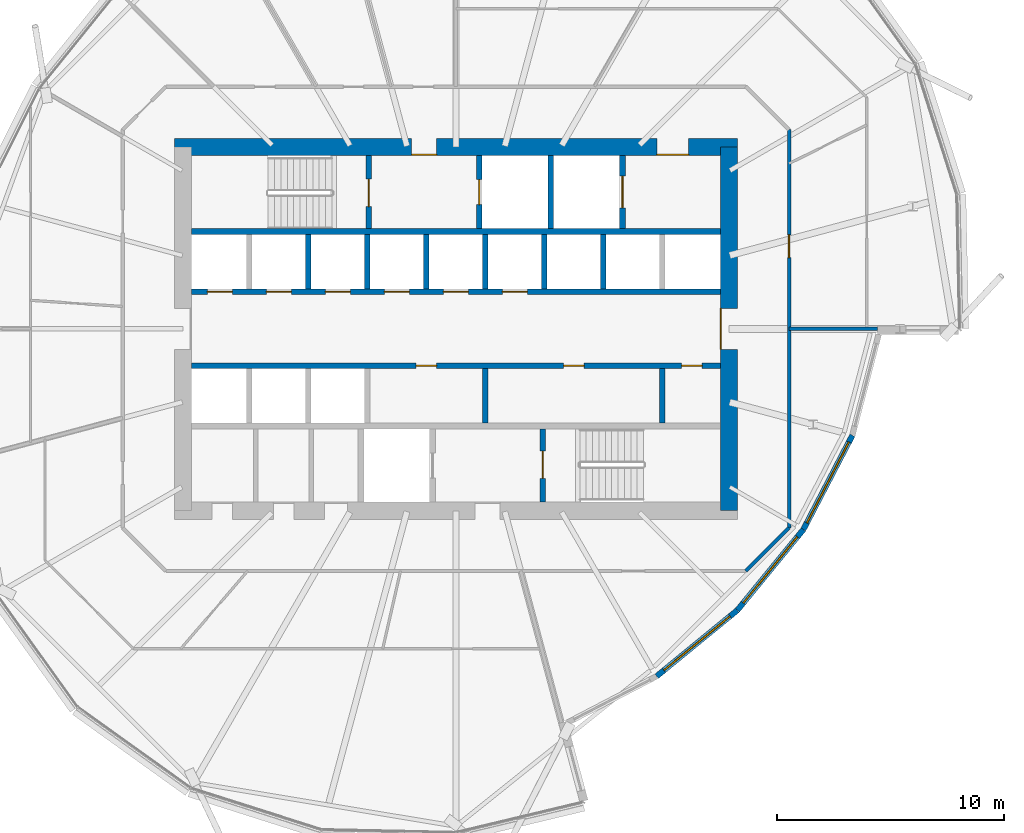
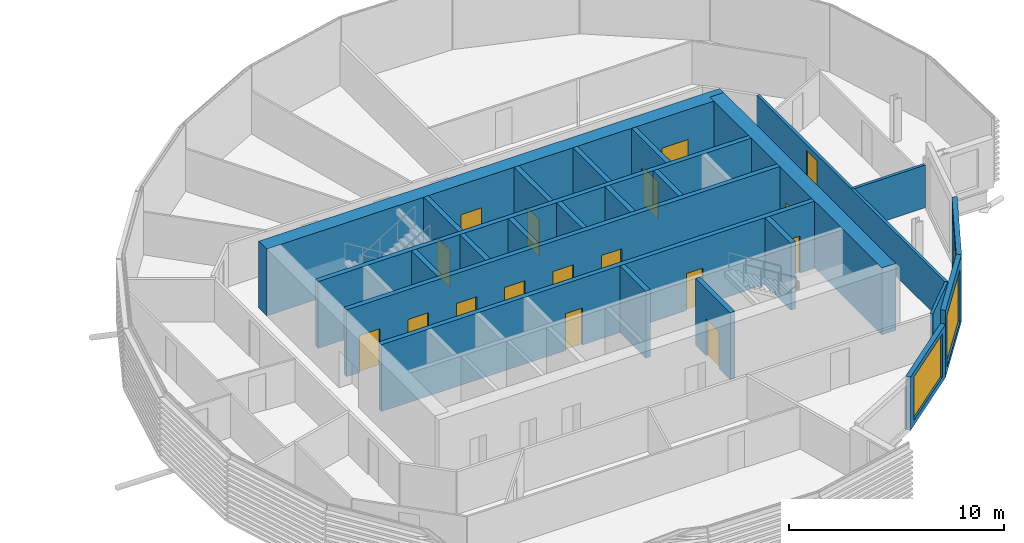
# One storey, part 24 of 39: 24 walls, 17 doors, 3 windows, 20 openings.
"""IFC4 building model written with IfcOpenShell, lengths in metres."""

from ifc_helpers import new_model, si_unit, direction, frame, frame_2d, origin, place, context, subcontext, project, spatial, rectangle, extrude, material, layer, layer_set, type_object, element, fill, save


model = new_model("IFC4")

# Units and contexts
model_context = context("Model", 3, precision=1e-05, world=origin(), true_north=direction((0.0, 1.0)))
body_context = subcontext(model_context, "Body", "Model", "MODEL_VIEW")
ifc_project = project(units=[si_unit("LENGTHUNIT", "METRE"), si_unit("AREAUNIT", "SQUARE_METRE"), si_unit("VOLUMEUNIT", "CUBIC_METRE"), si_unit("PLANEANGLEUNIT", "RADIAN"), si_unit("MASSUNIT", "GRAM", prefix="KILO")], contexts=[model_context])

# Site, building, storey
site_placement = place(None, origin())
site = spatial("IfcSite", under=ifc_project, at=site_placement, CompositionType="ELEMENT")
building_placement = place(site_placement, origin())
building = spatial("IfcBuilding", under=site, at=building_placement, Name="Rimbun Link Towers", CompositionType="ELEMENT")
storey_placement = place(building_placement, frame((0.0, 0.0, 100.60009765625)))
storey = spatial("IfcBuildingStorey", under=building, at=storey_placement, Name="L24", CompositionType="ELEMENT", Elevation=100.60009765625)

# Wall, opening, window
ifc_material_1 = material(Name="Dark enamelled glass spandrel on insulated aluminium backpan", Category="aluminium")
ifc_layer_1 = layer(ifc_material_1, 0.25)
ifc_layer_set_1 = layer_set([ifc_layer_1], Name="CS dark enamelled spandrel wall 250")
wall_type_1 = type_object("IfcWallType", Name="CS dark enamelled spandrel wall 250", PredefinedType="STANDARD", material=ifc_layer_set_1)
wall_1_placement = place(storey_placement, frame((44.126220703125, -12.376220703125, 0.0), z_axis=(0.0, 0.0, 1.0), x_axis=(-0.773897956984, -0.633310312703, 0.0)))
wall_1 = element("IfcWall", 1, at=wall_1_placement, inside=storey, type_object=wall_type_1, Name="Crease spandrel wall", PredefinedType="STANDARD", context=body_context, shape_type="SweptSolid", body=[
    extrude(rectangle(XDim=4.582763671875, YDim=0.25, at=frame_2d((2.29150390625, 0.0))), origin(), (0.0, 0.0, 1.0), 3.02734375),
])
opening_1_placement = place(wall_1_placement, frame((0.416259765625, 0.0, 0.300048828125)))
opening_1 = element("IfcOpeningElement", 2, at=opening_1_placement, cuts=wall_1, Name="Opening WR38H245", PredefinedType="OPENING", context=body_context, shape_type="SweptSolid", body=[
    extrude(rectangle(XDim=3.75, YDim=2.449951171875, at=frame_2d((1.875, 1.22509765625))), frame((0.0, 0.135009765625, 0.0), z_axis=(0.0, -1.0, 0.0), x_axis=(1.0, 0.0, 0.0)), (0.0, 0.0, 1.0), 0.27001953125),
])
ifc_material_2 = material(Name="Aluminium framed fixed window, dark tinted low-e glass", Category="aluminium")
window_type_1 = type_object("IfcWindowType", Name="WR ribbon window 3750X2450", PartitioningType="SINGLE_PANEL", PredefinedType="WINDOW", material=ifc_material_2)
window_1_placement = place(opening_1_placement, origin())
window_1 = element("IfcWindow", 3, at=window_1_placement, inside=storey, type_object=window_type_1, Name="Crease ribbon window", OverallHeight=2.449951171875, OverallWidth=3.75, PartitioningType="SINGLE_PANEL", PredefinedType="WINDOW", context=body_context, shape_type="SweptSolid", body=[
    extrude(rectangle(XDim=3.75, YDim=2.449951171875, at=frame_2d((1.875, 1.22509765625))), frame((0.0, 0.030029296875, 0.0), z_axis=(0.0, -1.0, 0.0), x_axis=(1.0, 0.0, 0.0)), (0.0, 0.0, 1.0), 0.06005859375),
])
fill(opening_1, window_1)

wall_2_placement = place(storey_placement, frame((47.028564453125, -8.82958984375, 0.0), z_axis=(0.0, 0.0, 1.0), x_axis=(-0.633310312703, -0.773897956984, 0.0)))
wall_2 = element("IfcWall", 4, at=wall_2_placement, inside=storey, type_object=wall_type_1, Name="Crease spandrel wall", PredefinedType="STANDARD", context=body_context, shape_type="SweptSolid", body=[
    extrude(rectangle(XDim=4.582763671875, YDim=0.25, at=frame_2d((2.29150390625, 0.0))), origin(), (0.0, 0.0, 1.0), 3.7998046875),
])
opening_2_placement = place(wall_2_placement, frame((0.416259765625, 0.0, 0.300048828125)))
opening_2 = element("IfcOpeningElement", 5, at=opening_2_placement, cuts=wall_2, Name="Opening WR38H295", PredefinedType="OPENING", context=body_context, shape_type="SweptSolid", body=[
    extrude(rectangle(XDim=3.75, YDim=2.949951171875, at=frame_2d((1.875, 1.47509765625))), frame((0.0, 0.135009765625, 0.0), z_axis=(0.0, -1.0, 0.0), x_axis=(1.0, 0.0, 0.0)), (0.0, 0.0, 1.0), 0.27001953125),
])
ifc_material_3 = material(Name="Aluminium framed fixed window, dark tinted low-e glass", Category="aluminium")
window_type_2 = type_object("IfcWindowType", Name="WR ribbon window 3750X2950", PartitioningType="SINGLE_PANEL", PredefinedType="WINDOW", material=ifc_material_3)
window_2_placement = place(opening_2_placement, origin())
window_2 = element("IfcWindow", 6, at=window_2_placement, inside=storey, type_object=window_type_2, Name="Crease ribbon window", OverallHeight=2.949951171875, OverallWidth=3.75, PartitioningType="SINGLE_PANEL", PredefinedType="WINDOW", context=body_context, shape_type="SweptSolid", body=[
    extrude(rectangle(XDim=3.75, YDim=2.949951171875, at=frame_2d((1.875, 1.47509765625))), frame((0.0, 0.030029296875, 0.0), z_axis=(0.0, -1.0, 0.0), x_axis=(1.0, 0.0, 0.0)), (0.0, 0.0, 1.0), 0.06005859375),
])
fill(opening_2, window_2)

wall_3_placement = place(storey_placement, frame((49.186279296875, -4.685791015625, 0.0), z_axis=(0.0, 0.0, 1.0), x_axis=(-0.461847922191, -0.886959129142, 0.0)))
wall_3 = element("IfcWall", 7, at=wall_3_placement, inside=storey, type_object=wall_type_1, Name="Crease spandrel wall", PredefinedType="STANDARD", context=body_context, shape_type="SweptSolid", body=[
    extrude(rectangle(XDim=4.671875, YDim=0.25, at=frame_2d((2.3359375, 0.0))), origin(), (0.0, 0.0, 1.0), 3.7998046875),
])
opening_3_placement = place(wall_3_placement, frame((0.3359375, 0.0, 0.300048828125)))
opening_3 = element("IfcOpeningElement", 8, at=opening_3_placement, cuts=wall_3, Name="Opening WR40H295", PredefinedType="OPENING", context=body_context, shape_type="SweptSolid", body=[
    extrude(rectangle(XDim=4.0, YDim=2.949951171875, at=frame_2d((2.0, 1.47509765625))), frame((0.0, 0.135009765625, 0.0), z_axis=(0.0, -1.0, 0.0), x_axis=(1.0, 0.0, 0.0)), (0.0, 0.0, 1.0), 0.27001953125),
])
ifc_material_4 = material(Name="Aluminium framed fixed window, dark tinted low-e glass", Category="aluminium")
window_type_3 = type_object("IfcWindowType", Name="WR ribbon window 4000X2950", PartitioningType="SINGLE_PANEL", PredefinedType="WINDOW", material=ifc_material_4)
window_3_placement = place(opening_3_placement, origin())
window_3 = element("IfcWindow", 9, at=window_3_placement, inside=storey, type_object=window_type_3, Name="Crease ribbon window", OverallHeight=2.949951171875, OverallWidth=4.0, PartitioningType="SINGLE_PANEL", PredefinedType="WINDOW", context=body_context, shape_type="SweptSolid", body=[
    extrude(rectangle(XDim=4.0, YDim=2.949951171875, at=frame_2d((2.0, 1.47509765625))), frame((0.0, 0.030029296875, 0.0), z_axis=(0.0, -1.0, 0.0), x_axis=(1.0, 0.0, 0.0)), (0.0, 0.0, 1.0), 0.06005859375),
])
fill(opening_3, window_3)

# Wall, openings, doors
ifc_material_5 = material(Name="Concrete C60/75", Category="concrete")
ifc_layer_2 = layer(ifc_material_5, 0.75)
ifc_layer_set_2 = layer_set([ifc_layer_2], Name="Core shear wall 750")
wall_type_2 = type_object("IfcWallType", Name="Core shear wall 750", PredefinedType="SHEAR", material=ifc_layer_set_2)
wall_4_placement = place(storey_placement, frame((19.375, 8.0, 0.0), z_axis=(0.0, 0.0, 1.0), x_axis=(1.0, 0.0, 0.0)))
wall_4 = element("IfcWall", 10, at=wall_4_placement, inside=storey, type_object=wall_type_2, Name="L24 T2 core wall N", PredefinedType="SHEAR", context=body_context, shape_type="SweptSolid", body=[
    extrude(rectangle(XDim=24.75, YDim=0.75, at=frame_2d((12.375, 0.0))), origin(), (0.0, 0.0, 1.0), 3.7998046875),
])
opening_4_placement = place(wall_4_placement, frame((10.425048828125, 0.0, 0.0)))
opening_4 = element("IfcOpeningElement", 11, at=opening_4_placement, cuts=wall_4, Name="Opening C2DCF01N", PredefinedType="OPENING", context=body_context, shape_type="SweptSolid", body=[
    extrude(rectangle(XDim=1.10009765625, YDim=2.10009765625, at=frame_2d((0.550048828125, 1.050048828125))), frame((0.0, 0.385009765625, 0.0), z_axis=(0.0, -1.0, 0.0), x_axis=(1.0, 0.0, 0.0)), (0.0, 0.0, 1.0), 0.77001953125),
])
opening_5_placement = place(wall_4_placement, frame((21.21240234375, 0.0, 0.0)))
opening_5 = element("IfcOpeningElement", 12, at=opening_5_placement, cuts=wall_4, Name="Opening C2DSL02N", PredefinedType="OPENING", context=body_context, shape_type="SweptSolid", body=[
    extrude(rectangle(XDim=1.39990234375, YDim=2.10009765625, at=frame_2d((0.699951171875, 1.050048828125))), frame((0.0, 0.385009765625, 0.0), z_axis=(0.0, -1.0, 0.0), x_axis=(1.0, 0.0, 0.0)), (0.0, 0.0, 1.0), 0.77001953125),
])
ifc_material_6 = material(Name="Steel fire door set", Category="steel")
door_type_1 = type_object("IfcDoorType", Name="Core fire door single", OperationType="SINGLE_SWING_LEFT", PredefinedType="DOOR", material=ifc_material_6)
door_1_placement = place(opening_4_placement, origin())
door_1 = element("IfcDoor", 13, at=door_1_placement, inside=storey, type_object=door_type_1, Name="L24 T2 firefighting lobby n door", OperationType="SINGLE_SWING_LEFT", OverallHeight=2.10009765625, OverallWidth=1.10009765625, PredefinedType="DOOR", context=body_context, shape_type="SweptSolid", body=[
    extrude(rectangle(XDim=1.10009765625, YDim=2.10009765625, at=frame_2d((0.550048828125, 1.050048828125))), frame((0.0, -0.3251953125, 0.0), z_axis=(0.0, -1.0, 0.0), x_axis=(1.0, 0.0, 0.0)), (0.0, 0.0, 1.0), 0.050048828125),
])
fill(opening_4, door_1)
ifc_material_7 = material(Name="Steel fire door set", Category="steel")
door_type_2 = type_object("IfcDoorType", Name="Service lobby door double", OperationType="DOUBLE_DOOR_SINGLE_SWING", PredefinedType="DOOR", material=ifc_material_7)
door_2_placement = place(opening_5_placement, origin())
door_2 = element("IfcDoor", 14, at=door_2_placement, inside=storey, type_object=door_type_2, Name="L24 T2 service lobby door", OperationType="DOUBLE_DOOR_SINGLE_SWING", OverallHeight=2.10009765625, OverallWidth=1.39990234375, PredefinedType="DOOR", context=body_context, shape_type="SweptSolid", body=[
    extrude(rectangle(XDim=1.39990234375, YDim=2.10009765625, at=frame_2d((0.699951171875, 1.050048828125))), frame((0.0, -0.3251953125, 0.0), z_axis=(0.0, -1.0, 0.0), x_axis=(1.0, 0.0, 0.0)), (0.0, 0.0, 1.0), 0.050048828125),
])
fill(opening_5, door_2)

# Wall, opening, door
wall_5_placement = place(storey_placement, frame((43.75, -8.0, 0.0), z_axis=(0.0, 0.0, 1.0), x_axis=(0.0, 1.0, 0.0)))
wall_5 = element("IfcWall", 15, at=wall_5_placement, inside=storey, type_object=wall_type_2, Name="L24 T2 core wall E", PredefinedType="SHEAR", context=body_context, shape_type="SweptSolid", body=[
    extrude(rectangle(XDim=16.0, YDim=0.75, at=frame_2d((8.0, 0.0))), origin(), (0.0, 0.0, 1.0), 3.7998046875),
])
opening_6_placement = place(wall_5_placement, frame((7.10009765625, 0.0, 0.0)))
opening_6 = element("IfcOpeningElement", 16, at=opening_6_placement, cuts=wall_5, Name="Opening C2DCL01E", PredefinedType="OPENING", context=body_context, shape_type="SweptSolid", body=[
    extrude(rectangle(XDim=1.800048828125, YDim=2.10009765625, at=frame_2d((0.89990234375, 1.050048828125))), frame((0.0, 0.385009765625, 0.0), z_axis=(0.0, -1.0, 0.0), x_axis=(1.0, 0.0, 0.0)), (0.0, 0.0, 1.0), 0.77001953125),
])
ifc_material_8 = material(Name="Steel fire door set", Category="steel")
door_type_3 = type_object("IfcDoorType", Name="Core lobby door double", OperationType="DOUBLE_DOOR_SINGLE_SWING", PredefinedType="DOOR", material=ifc_material_8)
door_3_placement = place(opening_6_placement, origin())
door_3 = element("IfcDoor", 17, at=door_3_placement, inside=storey, type_object=door_type_3, Name="L24 T2 lift lobby door", OperationType="DOUBLE_DOOR_SINGLE_SWING", OverallHeight=2.10009765625, OverallWidth=1.800048828125, PredefinedType="DOOR", context=body_context, shape_type="SweptSolid", body=[
    extrude(rectangle(XDim=1.800048828125, YDim=2.10009765625, at=frame_2d((0.89990234375, 1.050048828125))), frame((0.0, 0.375, 0.0), z_axis=(0.0, -1.0, 0.0), x_axis=(1.0, 0.0, 0.0)), (0.0, 0.0, 1.0), 0.050048828125),
])
fill(opening_6, door_3)

ifc_material_9 = material(Name="Plasterboard on steel stud, mineral wool", Category="steel")
ifc_layer_3 = layer(ifc_material_9, 0.14990234375)
ifc_layer_set_3 = layer_set([ifc_layer_3], Name="Corridor wall EI 30 150 mm")
wall_type_3 = type_object("IfcWallType", Name="Corridor wall EI 30 150 mm", PredefinedType="PARTITIONING", material=ifc_layer_set_3)
wall_6_placement = place(storey_placement, frame((46.39990234375, 8.751708984375, 0.0), z_axis=(0.0, 0.0, 1.0), x_axis=(0.0, -1.0, 0.0)))
wall_6 = element("IfcWall", 18, at=wall_6_placement, inside=storey, type_object=wall_type_3, Name="Corridor wall EI 30 150 mm", PredefinedType="PARTITIONING", context=body_context, shape_type="SweptSolid", body=[
    extrude(rectangle(XDim=17.50341796875, YDim=0.14990234375, at=frame_2d((8.751708984375, 0.0))), origin(), (0.0, 0.0, 1.0), 2.419921875),
])
opening_7_placement = place(wall_6_placement, frame((4.619140625, 0.0, 0.0)))
opening_7 = element("IfcOpeningElement", 19, at=opening_7_placement, cuts=wall_6, Name="Opening D01", PredefinedType="OPENING", context=body_context, shape_type="SweptSolid", body=[
    extrude(rectangle(XDim=1.0, YDim=2.10009765625, at=frame_2d((0.5, 1.050048828125))), frame((0.0, 0.0849609375, 0.0), z_axis=(0.0, -1.0, 0.0), x_axis=(1.0, 0.0, 0.0)), (0.0, 0.0, 1.0), 0.169921875),
])
ifc_material_10 = material(Name="Fire-resisting timber door leaf", Category="wood")
door_type_4 = type_object("IfcDoorType", Name="Fire door FD30S 1000", OperationType="NOTDEFINED", PredefinedType="DOOR", material=ifc_material_10)
door_4_placement = place(opening_7_placement, origin())
door_4 = element("IfcDoor", 20, at=door_4_placement, inside=storey, type_object=door_type_4, Name="Fire door FD30S 1000 to Reception", OperationType="SINGLE_SWING_LEFT", OverallHeight=2.10009765625, OverallWidth=1.0, PredefinedType="DOOR", context=body_context, shape_type="SweptSolid", body=[
    extrude(rectangle(XDim=1.0, YDim=2.10009765625, at=frame_2d((0.5, 1.050048828125))), frame((0.0, 0.02490234375, 0.0), z_axis=(0.0, -1.0, 0.0), x_axis=(1.0, 0.0, 0.0)), (0.0, 0.0, 1.0), 0.050048828125),
])
fill(opening_7, door_4)

# Walls
wall_7_placement = place(storey_placement, frame((44.501708984375, -10.64990234375, 0.0), z_axis=(0.0, 0.0, 1.0), x_axis=(0.707106781187, 0.707106781187, 0.0)))
element("IfcWall", 21, at=wall_7_placement, inside=storey, type_object=wall_type_3, Name="Corridor wall EI 30 150 mm", PredefinedType="PARTITIONING", context=body_context, shape_type="SweptSolid", body=[
    extrude(rectangle(XDim=2.6845703125, YDim=0.14990234375, at=frame_2d((1.34228515625, 0.0))), origin(), (0.0, 0.0, 1.0), 2.419921875),
])
ifc_material_11 = material(Name="Concrete C60/75", Category="concrete")
ifc_layer_4 = layer(ifc_material_11, 0.25)
ifc_layer_set_4 = layer_set([ifc_layer_4], Name="Shaft wall 250")
wall_type_4 = type_object("IfcWallType", Name="Shaft wall 250", PredefinedType="SHEAR", material=ifc_layer_set_4)
wall_8_placement = place(storey_placement, frame((20.125, 4.27490234375, 0.0), z_axis=(0.0, 0.0, 1.0), x_axis=(1.0, 0.0, 0.0)))
element("IfcWall", 22, at=wall_8_placement, inside=storey, type_object=wall_type_4, Name="L24 T2 core wall BN", PredefinedType="SHEAR", context=body_context, shape_type="SweptSolid", body=[
    extrude(rectangle(XDim=23.25, YDim=0.25, at=frame_2d((11.625, 0.0))), origin(), (0.0, 0.0, 1.0), 3.7998046875),
])

# Wall, openings, doors
wall_9_placement = place(storey_placement, frame((20.125, 1.625, 0.0), z_axis=(0.0, 0.0, 1.0), x_axis=(1.0, 0.0, 0.0)))
wall_9 = element("IfcWall", 23, at=wall_9_placement, inside=storey, type_object=wall_type_4, Name="L24 T2 core wall FN", PredefinedType="SHEAR", context=body_context, shape_type="SweptSolid", body=[
    extrude(rectangle(XDim=23.25, YDim=0.25, at=frame_2d((11.625, 0.0))), origin(), (0.0, 0.0, 1.0), 3.7998046875),
])
opening_8_placement = place(wall_9_placement, frame((0.697265625, 0.0, 0.0)))
opening_8 = element("IfcOpeningElement", 24, at=opening_8_placement, cuts=wall_9, Name="Opening LD-T2-LR1", PredefinedType="OPENING", context=body_context, shape_type="SweptSolid", body=[
    extrude(rectangle(XDim=1.10009765625, YDim=2.10009765625, at=frame_2d((0.550048828125, 1.050048828125))), frame((0.0, 0.135009765625, 0.0), z_axis=(0.0, -1.0, 0.0), x_axis=(1.0, 0.0, 0.0)), (0.0, 0.0, 1.0), 0.27001953125),
])
opening_9_placement = place(wall_9_placement, frame((3.291748046875, 0.0, 0.0)))
opening_9 = element("IfcOpeningElement", 25, at=opening_9_placement, cuts=wall_9, Name="Opening LD-T2-LR2", PredefinedType="OPENING", context=body_context, shape_type="SweptSolid", body=[
    extrude(rectangle(XDim=1.10009765625, YDim=2.10009765625, at=frame_2d((0.550048828125, 1.050048828125))), frame((0.0, 0.135009765625, 0.0), z_axis=(0.0, -1.0, 0.0), x_axis=(1.0, 0.0, 0.0)), (0.0, 0.0, 1.0), 0.27001953125),
])
opening_10_placement = place(wall_9_placement, frame((5.885986328125, 0.0, 0.0)))
opening_10 = element("IfcOpeningElement", 26, at=opening_10_placement, cuts=wall_9, Name="Opening LD-T2-LR3", PredefinedType="OPENING", context=body_context, shape_type="SweptSolid", body=[
    extrude(rectangle(XDim=1.10009765625, YDim=2.10009765625, at=frame_2d((0.550048828125, 1.050048828125))), frame((0.0, 0.135009765625, 0.0), z_axis=(0.0, -1.0, 0.0), x_axis=(1.0, 0.0, 0.0)), (0.0, 0.0, 1.0), 0.27001953125),
])
opening_11_placement = place(wall_9_placement, frame((8.480712890625, 0.0, 0.0)))
opening_11 = element("IfcOpeningElement", 27, at=opening_11_placement, cuts=wall_9, Name="Opening LD-T2-LR4", PredefinedType="OPENING", context=body_context, shape_type="SweptSolid", body=[
    extrude(rectangle(XDim=1.10009765625, YDim=2.10009765625, at=frame_2d((0.550048828125, 1.050048828125))), frame((0.0, 0.135009765625, 0.0), z_axis=(0.0, -1.0, 0.0), x_axis=(1.0, 0.0, 0.0)), (0.0, 0.0, 1.0), 0.27001953125),
])
opening_12_placement = place(wall_9_placement, frame((11.074951171875, 0.0, 0.0)))
opening_12 = element("IfcOpeningElement", 28, at=opening_12_placement, cuts=wall_9, Name="Opening LD-T2-LR5", PredefinedType="OPENING", context=body_context, shape_type="SweptSolid", body=[
    extrude(rectangle(XDim=1.10009765625, YDim=2.10009765625, at=frame_2d((0.550048828125, 1.050048828125))), frame((0.0, 0.135009765625, 0.0), z_axis=(0.0, -1.0, 0.0), x_axis=(1.0, 0.0, 0.0)), (0.0, 0.0, 1.0), 0.27001953125),
])
opening_13_placement = place(wall_9_placement, frame((13.66943359375, 0.0, 0.0)))
opening_13 = element("IfcOpeningElement", 29, at=opening_13_placement, cuts=wall_9, Name="Opening LD-T2-LR6", PredefinedType="OPENING", context=body_context, shape_type="SweptSolid", body=[
    extrude(rectangle(XDim=1.10009765625, YDim=2.10009765625, at=frame_2d((0.550048828125, 1.050048828125))), frame((0.0, 0.135009765625, 0.0), z_axis=(0.0, -1.0, 0.0), x_axis=(1.0, 0.0, 0.0)), (0.0, 0.0, 1.0), 0.27001953125),
])
ifc_material_12 = material(Name="Stainless steel grade 316", Category="steel")
door_type_5 = type_object("IfcDoorType", Name="Lift landing door", OperationType="DOUBLE_DOOR_SLIDING", PredefinedType="DOOR", material=ifc_material_12)
door_5_placement = place(opening_8_placement, origin())
door_5 = element("IfcDoor", 30, at=door_5_placement, inside=storey, type_object=door_type_5, Name="L24 T2 lift LR1 landing door", OperationType="DOUBLE_DOOR_SLIDING", OverallHeight=2.10009765625, OverallWidth=1.10009765625, PredefinedType="DOOR", context=body_context, shape_type="SweptSolid", body=[
    extrude(rectangle(XDim=1.10009765625, YDim=2.10009765625, at=frame_2d((0.550048828125, 1.050048828125))), frame((0.0, 0.02490234375, 0.0), z_axis=(0.0, -1.0, 0.0), x_axis=(1.0, 0.0, 0.0)), (0.0, 0.0, 1.0), 0.050048828125),
])
fill(opening_8, door_5)
door_6_placement = place(opening_9_placement, origin())
door_6 = element("IfcDoor", 31, at=door_6_placement, inside=storey, type_object=door_type_5, Name="L24 T2 lift LR2 landing door", OperationType="DOUBLE_DOOR_SLIDING", OverallHeight=2.10009765625, OverallWidth=1.10009765625, PredefinedType="DOOR", context=body_context, shape_type="SweptSolid", body=[
    extrude(rectangle(XDim=1.10009765625, YDim=2.10009765625, at=frame_2d((0.550048828125, 1.050048828125))), frame((0.0, 0.02490234375, 0.0), z_axis=(0.0, -1.0, 0.0), x_axis=(1.0, 0.0, 0.0)), (0.0, 0.0, 1.0), 0.050048828125),
])
fill(opening_9, door_6)
door_7_placement = place(opening_10_placement, origin())
door_7 = element("IfcDoor", 32, at=door_7_placement, inside=storey, type_object=door_type_5, Name="L24 T2 lift LR3 landing door", OperationType="DOUBLE_DOOR_SLIDING", OverallHeight=2.10009765625, OverallWidth=1.10009765625, PredefinedType="DOOR", context=body_context, shape_type="SweptSolid", body=[
    extrude(rectangle(XDim=1.10009765625, YDim=2.10009765625, at=frame_2d((0.550048828125, 1.050048828125))), frame((0.0, 0.02490234375, 0.0), z_axis=(0.0, -1.0, 0.0), x_axis=(1.0, 0.0, 0.0)), (0.0, 0.0, 1.0), 0.050048828125),
])
fill(opening_10, door_7)
door_8_placement = place(opening_11_placement, origin())
door_8 = element("IfcDoor", 33, at=door_8_placement, inside=storey, type_object=door_type_5, Name="L24 T2 lift LR4 landing door", OperationType="DOUBLE_DOOR_SLIDING", OverallHeight=2.10009765625, OverallWidth=1.10009765625, PredefinedType="DOOR", context=body_context, shape_type="SweptSolid", body=[
    extrude(rectangle(XDim=1.10009765625, YDim=2.10009765625, at=frame_2d((0.550048828125, 1.050048828125))), frame((0.0, 0.02490234375, 0.0), z_axis=(0.0, -1.0, 0.0), x_axis=(1.0, 0.0, 0.0)), (0.0, 0.0, 1.0), 0.050048828125),
])
fill(opening_11, door_8)
door_9_placement = place(opening_12_placement, origin())
door_9 = element("IfcDoor", 34, at=door_9_placement, inside=storey, type_object=door_type_5, Name="L24 T2 lift LR5 landing door", OperationType="DOUBLE_DOOR_SLIDING", OverallHeight=2.10009765625, OverallWidth=1.10009765625, PredefinedType="DOOR", context=body_context, shape_type="SweptSolid", body=[
    extrude(rectangle(XDim=1.10009765625, YDim=2.10009765625, at=frame_2d((0.550048828125, 1.050048828125))), frame((0.0, 0.02490234375, 0.0), z_axis=(0.0, -1.0, 0.0), x_axis=(1.0, 0.0, 0.0)), (0.0, 0.0, 1.0), 0.050048828125),
])
fill(opening_12, door_9)
door_10_placement = place(opening_13_placement, origin())
door_10 = element("IfcDoor", 35, at=door_10_placement, inside=storey, type_object=door_type_5, Name="L24 T2 lift LR6 landing door", OperationType="DOUBLE_DOOR_SLIDING", OverallHeight=2.10009765625, OverallWidth=1.10009765625, PredefinedType="DOOR", context=body_context, shape_type="SweptSolid", body=[
    extrude(rectangle(XDim=1.10009765625, YDim=2.10009765625, at=frame_2d((0.550048828125, 1.050048828125))), frame((0.0, 0.02490234375, 0.0), z_axis=(0.0, -1.0, 0.0), x_axis=(1.0, 0.0, 0.0)), (0.0, 0.0, 1.0), 0.050048828125),
])
fill(opening_13, door_10)

wall_10_placement = place(storey_placement, frame((20.125, -1.625, 0.0), z_axis=(0.0, 0.0, 1.0), x_axis=(1.0, 0.0, 0.0)))
wall_10 = element("IfcWall", 36, at=wall_10_placement, inside=storey, type_object=wall_type_4, Name="L24 T2 core wall FS", PredefinedType="SHEAR", context=body_context, shape_type="SweptSolid", body=[
    extrude(rectangle(XDim=23.25, YDim=0.25, at=frame_2d((11.625, 0.0))), origin(), (0.0, 0.0, 1.0), 3.7998046875),
])
opening_14_placement = place(wall_10_placement, frame((9.877685546875, 0.0, 0.0)))
opening_14 = element("IfcOpeningElement", 37, at=opening_14_placement, cuts=wall_10, Name="Opening C2DRS01FS", PredefinedType="OPENING", context=body_context, shape_type="SweptSolid", body=[
    extrude(rectangle(XDim=0.89990234375, YDim=2.10009765625, at=frame_2d((0.449951171875, 1.050048828125))), frame((0.0, 0.135009765625, 0.0), z_axis=(0.0, -1.0, 0.0), x_axis=(1.0, 0.0, 0.0)), (0.0, 0.0, 1.0), 0.27001953125),
])
opening_15_placement = place(wall_10_placement, frame((16.364013671875, 0.0, 0.0)))
opening_15 = element("IfcOpeningElement", 38, at=opening_15_placement, cuts=wall_10, Name="Opening C2DRS02FS", PredefinedType="OPENING", context=body_context, shape_type="SweptSolid", body=[
    extrude(rectangle(XDim=0.89990234375, YDim=2.10009765625, at=frame_2d((0.449951171875, 1.050048828125))), frame((0.0, 0.135009765625, 0.0), z_axis=(0.0, -1.0, 0.0), x_axis=(1.0, 0.0, 0.0)), (0.0, 0.0, 1.0), 0.27001953125),
])
opening_16_placement = place(wall_10_placement, frame((21.552734375, 0.0, 0.0)))
opening_16 = element("IfcOpeningElement", 39, at=opening_16_placement, cuts=wall_10, Name="Opening C2DRS03FS", PredefinedType="OPENING", context=body_context, shape_type="SweptSolid", body=[
    extrude(rectangle(XDim=0.89990234375, YDim=2.10009765625, at=frame_2d((0.449951171875, 1.050048828125))), frame((0.0, 0.135009765625, 0.0), z_axis=(0.0, -1.0, 0.0), x_axis=(1.0, 0.0, 0.0)), (0.0, 0.0, 1.0), 0.27001953125),
])
ifc_material_13 = material(Name="Steel fire door set", Category="steel")
door_type_6 = type_object("IfcDoorType", Name="Core riser door", OperationType="SINGLE_SWING_LEFT", PredefinedType="DOOR", material=ifc_material_13)
door_11_placement = place(opening_14_placement, origin())
door_11 = element("IfcDoor", 40, at=door_11_placement, inside=storey, type_object=door_type_6, Name="L24 T2 pantry door", OperationType="SINGLE_SWING_RIGHT", OverallHeight=2.10009765625, OverallWidth=0.89990234375, PredefinedType="DOOR", context=body_context, shape_type="SweptSolid", body=[
    extrude(rectangle(XDim=0.89990234375, YDim=2.10009765625, at=frame_2d((0.449951171875, 1.050048828125))), frame((0.0, 0.02490234375, 0.0), z_axis=(0.0, -1.0, 0.0), x_axis=(1.0, 0.0, 0.0)), (0.0, 0.0, 1.0), 0.050048828125),
])
fill(opening_14, door_11)
door_12_placement = place(opening_15_placement, origin())
door_12 = element("IfcDoor", 41, at=door_12_placement, inside=storey, type_object=door_type_6, Name="L24 T2 wellness room door", OperationType="SINGLE_SWING_LEFT", OverallHeight=2.10009765625, OverallWidth=0.89990234375, PredefinedType="DOOR", context=body_context, shape_type="SweptSolid", body=[
    extrude(rectangle(XDim=0.89990234375, YDim=2.10009765625, at=frame_2d((0.449951171875, 1.050048828125))), frame((0.0, 0.02490234375, 0.0), z_axis=(0.0, -1.0, 0.0), x_axis=(1.0, 0.0, 0.0)), (0.0, 0.0, 1.0), 0.050048828125),
])
fill(opening_15, door_12)
door_13_placement = place(opening_16_placement, origin())
door_13 = element("IfcDoor", 42, at=door_13_placement, inside=storey, type_object=door_type_6, Name="L24 T2 staff store door", OperationType="SINGLE_SWING_LEFT", OverallHeight=2.10009765625, OverallWidth=0.89990234375, PredefinedType="DOOR", context=body_context, shape_type="SweptSolid", body=[
    extrude(rectangle(XDim=0.89990234375, YDim=2.10009765625, at=frame_2d((0.449951171875, 1.050048828125))), frame((0.0, 0.02490234375, 0.0), z_axis=(0.0, -1.0, 0.0), x_axis=(1.0, 0.0, 0.0)), (0.0, 0.0, 1.0), 0.050048828125),
])
fill(opening_16, door_13)

# Walls
for number, where, z_axis, x_axis, name in (
    (43, (25.263916015625, 1.75, 0.0), (0.0, 0.0, 1.0), (0.0, 1.0, 0.0), "L24 T2 core wall DN1"),
    (44, (27.8583984375, 1.75, 0.0), (0.0, 0.0, 1.0), (0.0, 1.0, 0.0), "L24 T2 core wall DN2"),
    (45, (30.452880859375, 1.75, 0.0), (0.0, 0.0, 1.0), (0.0, 1.0, 0.0), "L24 T2 core wall DN3"),
    (46, (33.047119140625, 1.75, 0.0), (0.0, 0.0, 1.0), (0.0, 1.0, 0.0), "L24 T2 core wall DN4"),
    (47, (35.6416015625, 1.75, 0.0), (0.0, 0.0, 1.0), (0.0, 1.0, 0.0), "L24 T2 core wall DN5"),
    (48, (38.236083984375, 1.75, 0.0), (0.0, 0.0, 1.0), (0.0, 1.0, 0.0), "L24 T2 core wall DN6"),
    (49, (33.047119140625, -4.14990234375, 0.0), (0.0, 0.0, 1.0), (0.0, 1.0, 0.0), "L24 T2 core wall DS4"),
    (50, (40.83056640625, -4.14990234375, 0.0), (0.0, 0.0, 1.0), (0.0, 1.0, 0.0), "L24 T2 core wall DS7"),
):
    element("IfcWall", number, at=place(storey_placement, frame(where, z_axis=z_axis, x_axis=x_axis)), inside=storey, type_object=wall_type_4, Name=name, PredefinedType="SHEAR", context=body_context, shape_type="SweptSolid", body=[
        extrude(rectangle(XDim=2.39990234375, YDim=0.25, at=frame_2d((1.199951171875, 0.0))), origin(), (0.0, 0.0, 1.0), 3.7998046875),
    ])

# Wall, opening, door
wall_11_placement = place(storey_placement, frame((27.925048828125, 4.39990234375, 0.0), z_axis=(0.0, 0.0, 1.0), x_axis=(0.0, 1.0, 0.0)))
wall_11 = element("IfcWall", 51, at=wall_11_placement, inside=storey, type_object=wall_type_4, Name="L24 T2 core wall A1", PredefinedType="SHEAR", context=body_context, shape_type="SweptSolid", body=[
    extrude(rectangle(XDim=3.22509765625, YDim=0.25, at=frame_2d((1.612548828125, 0.0))), origin(), (0.0, 0.0, 1.0), 3.7998046875),
])
opening_17_placement = place(wall_11_placement, frame((0.97509765625, 0.0, 0.0)))
opening_17 = element("IfcOpeningElement", 52, at=opening_17_placement, cuts=wall_11, Name="Opening C2DST01A1", PredefinedType="OPENING", context=body_context, shape_type="SweptSolid", body=[
    extrude(rectangle(XDim=1.199951171875, YDim=2.10009765625, at=frame_2d((0.60009765625, 1.050048828125))), frame((0.0, 0.135009765625, 0.0), z_axis=(0.0, -1.0, 0.0), x_axis=(1.0, 0.0, 0.0)), (0.0, 0.0, 1.0), 0.27001953125),
])
ifc_material_14 = material(Name="Steel fire door set", Category="steel")
door_type_7 = type_object("IfcDoorType", Name="Stair door", OperationType="SINGLE_SWING_LEFT", PredefinedType="DOOR", material=ifc_material_14)
door_14_placement = place(opening_17_placement, origin())
door_14 = element("IfcDoor", 53, at=door_14_placement, inside=storey, type_object=door_type_7, Name="L24 T2 stair a door", OperationType="SINGLE_SWING_RIGHT", OverallHeight=2.10009765625, OverallWidth=1.199951171875, PredefinedType="DOOR", context=body_context, shape_type="SweptSolid", body=[
    extrude(rectangle(XDim=1.199951171875, YDim=2.10009765625, at=frame_2d((0.60009765625, 1.050048828125))), frame((0.0, 0.02490234375, 0.0), z_axis=(0.0, -1.0, 0.0), x_axis=(1.0, 0.0, 0.0)), (0.0, 0.0, 1.0), 0.050048828125),
])
fill(opening_17, door_14)

wall_12_placement = place(storey_placement, frame((32.77490234375, 4.39990234375, 0.0), z_axis=(0.0, 0.0, 1.0), x_axis=(0.0, 1.0, 0.0)))
wall_12 = element("IfcWall", 54, at=wall_12_placement, inside=storey, type_object=wall_type_4, Name="L24 T2 core wall A2", PredefinedType="SHEAR", context=body_context, shape_type="SweptSolid", body=[
    extrude(rectangle(XDim=3.22509765625, YDim=0.25, at=frame_2d((1.612548828125, 0.0))), origin(), (0.0, 0.0, 1.0), 3.7998046875),
])
opening_18_placement = place(wall_12_placement, frame((1.0625, 0.0, 0.0)))
opening_18 = element("IfcOpeningElement", 55, at=opening_18_placement, cuts=wall_12, Name="Opening LD-T2-FF1", PredefinedType="OPENING", context=body_context, shape_type="SweptSolid", body=[
    extrude(rectangle(XDim=1.10009765625, YDim=2.10009765625, at=frame_2d((0.550048828125, 1.050048828125))), frame((0.0, 0.135009765625, 0.0), z_axis=(0.0, -1.0, 0.0), x_axis=(1.0, 0.0, 0.0)), (0.0, 0.0, 1.0), 0.27001953125),
])
door_15_placement = place(opening_18_placement, origin())
door_15 = element("IfcDoor", 56, at=door_15_placement, inside=storey, type_object=door_type_5, Name="L24 T2 lift FF1 landing door", OperationType="DOUBLE_DOOR_SLIDING", OverallHeight=2.10009765625, OverallWidth=1.10009765625, PredefinedType="DOOR", context=body_context, shape_type="SweptSolid", body=[
    extrude(rectangle(XDim=1.10009765625, YDim=2.10009765625, at=frame_2d((0.550048828125, 1.050048828125))), frame((0.0, 0.02490234375, 0.0), z_axis=(0.0, -1.0, 0.0), x_axis=(1.0, 0.0, 0.0)), (0.0, 0.0, 1.0), 0.050048828125),
])
fill(opening_18, door_15)

# Wall
wall_13_placement = place(storey_placement, frame((35.925048828125, 4.39990234375, 0.0), z_axis=(0.0, 0.0, 1.0), x_axis=(0.0, 1.0, 0.0)))
element("IfcWall", 57, at=wall_13_placement, inside=storey, type_object=wall_type_4, Name="L24 T2 core wall A3", PredefinedType="SHEAR", context=body_context, shape_type="SweptSolid", body=[
    extrude(rectangle(XDim=3.22509765625, YDim=0.25, at=frame_2d((1.612548828125, 0.0))), origin(), (0.0, 0.0, 1.0), 3.7998046875),
])

# Wall, opening, door
wall_14_placement = place(storey_placement, frame((39.074951171875, 4.39990234375, 0.0), z_axis=(0.0, 0.0, 1.0), x_axis=(0.0, 1.0, 0.0)))
wall_14 = element("IfcWall", 58, at=wall_14_placement, inside=storey, type_object=wall_type_4, Name="L24 T2 core wall A4", PredefinedType="SHEAR", context=body_context, shape_type="SweptSolid", body=[
    extrude(rectangle(XDim=3.22509765625, YDim=0.25, at=frame_2d((1.612548828125, 0.0))), origin(), (0.0, 0.0, 1.0), 3.7998046875),
])
opening_19_placement = place(wall_14_placement, frame((0.91259765625, 0.0, 0.0)))
opening_19 = element("IfcOpeningElement", 59, at=opening_19_placement, cuts=wall_14, Name="Opening LD-T2-GL1", PredefinedType="OPENING", context=body_context, shape_type="SweptSolid", body=[
    extrude(rectangle(XDim=1.39990234375, YDim=2.10009765625, at=frame_2d((0.699951171875, 1.050048828125))), frame((0.0, 0.135009765625, 0.0), z_axis=(0.0, -1.0, 0.0), x_axis=(1.0, 0.0, 0.0)), (0.0, 0.0, 1.0), 0.27001953125),
])
ifc_material_15 = material(Name="Stainless steel grade 316", Category="steel")
door_type_8 = type_object("IfcDoorType", Name="Goods lift landing door", OperationType="DOUBLE_DOOR_SLIDING", PredefinedType="DOOR", material=ifc_material_15)
door_16_placement = place(opening_19_placement, origin())
door_16 = element("IfcDoor", 60, at=door_16_placement, inside=storey, type_object=door_type_8, Name="L24 T2 lift GL1 landing door", OperationType="DOUBLE_DOOR_SLIDING", OverallHeight=2.10009765625, OverallWidth=1.39990234375, PredefinedType="DOOR", context=body_context, shape_type="SweptSolid", body=[
    extrude(rectangle(XDim=1.39990234375, YDim=2.10009765625, at=frame_2d((0.699951171875, 1.050048828125))), frame((0.0, 0.02490234375, 0.0), z_axis=(0.0, -1.0, 0.0), x_axis=(1.0, 0.0, 0.0)), (0.0, 0.0, 1.0), 0.050048828125),
])
fill(opening_19, door_16)

wall_15_placement = place(storey_placement, frame((35.574951171875, -4.39990234375, 0.0), z_axis=(0.0, 0.0, 1.0), x_axis=(0.0, -1.0, 0.0)))
wall_15 = element("IfcWall", 61, at=wall_15_placement, inside=storey, type_object=wall_type_4, Name="L24 T2 core wall B1", PredefinedType="SHEAR", context=body_context, shape_type="SweptSolid", body=[
    extrude(rectangle(XDim=3.22509765625, YDim=0.25, at=frame_2d((1.612548828125, 0.0))), origin(), (0.0, 0.0, 1.0), 3.7998046875),
])
opening_20_placement = place(wall_15_placement, frame((0.97509765625, 0.0, 0.0)))
opening_20 = element("IfcOpeningElement", 62, at=opening_20_placement, cuts=wall_15, Name="Opening C2DST01B1", PredefinedType="OPENING", context=body_context, shape_type="SweptSolid", body=[
    extrude(rectangle(XDim=1.199951171875, YDim=2.10009765625, at=frame_2d((0.60009765625, 1.050048828125))), frame((0.0, 0.135009765625, 0.0), z_axis=(0.0, -1.0, 0.0), x_axis=(1.0, 0.0, 0.0)), (0.0, 0.0, 1.0), 0.27001953125),
])
door_17_placement = place(opening_20_placement, origin())
door_17 = element("IfcDoor", 63, at=door_17_placement, inside=storey, type_object=door_type_7, Name="L24 T2 stair b door", OperationType="SINGLE_SWING_RIGHT", OverallHeight=2.10009765625, OverallWidth=1.199951171875, PredefinedType="DOOR", context=body_context, shape_type="SweptSolid", body=[
    extrude(rectangle(XDim=1.199951171875, YDim=2.10009765625, at=frame_2d((0.60009765625, 1.050048828125))), frame((0.0, 0.02490234375, 0.0), z_axis=(0.0, -1.0, 0.0), x_axis=(1.0, 0.0, 0.0)), (0.0, 0.0, 1.0), 0.050048828125),
])
fill(opening_20, door_17)

# Wall
ifc_material_16 = material(Name="Plasterboard on steel stud, mineral wool", Category="steel")
ifc_layer_5 = layer(ifc_material_16, 0.14990234375)
ifc_layer_set_5 = layer_set([ifc_layer_5], Name="Tenancy separation wall EI 60 150 mm")
wall_type_5 = type_object("IfcWallType", Name="Tenancy separation wall EI 60 150 mm", PredefinedType="PARTITIONING", material=ifc_layer_set_5)
wall_16_placement = place(storey_placement, frame((46.39990234375, 0.0, 0.0), z_axis=(0.0, 0.0, 1.0), x_axis=(1.0, 0.0, 0.0)))
element("IfcWall", 64, at=wall_16_placement, inside=storey, type_object=wall_type_5, Name="Tenancy separation wall EI 60 150 mm", PredefinedType="PARTITIONING", context=body_context, shape_type="SweptSolid", body=[
    extrude(rectangle(XDim=3.879150390625, YDim=0.14990234375, at=frame_2d((1.939453125, 0.0))), origin(), (0.0, 0.0, 1.0), 2.419921875),
])

save(model, "model.ifc")
